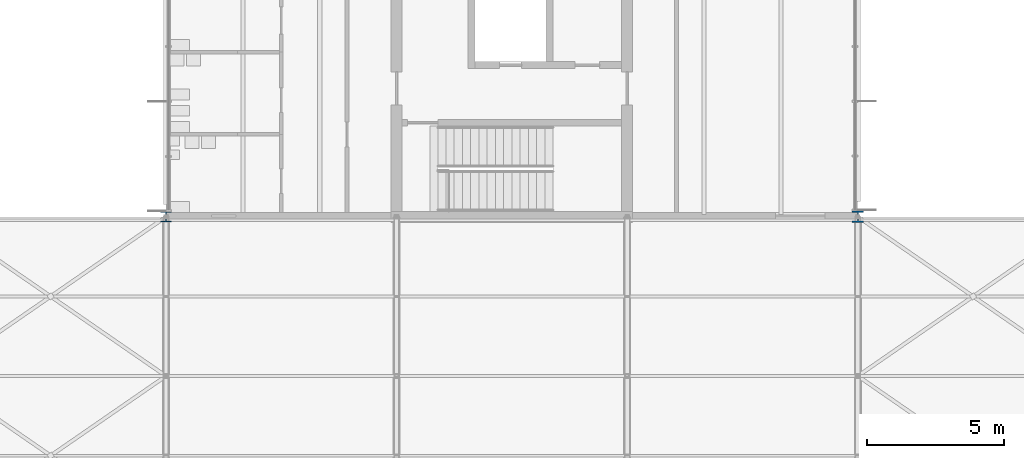
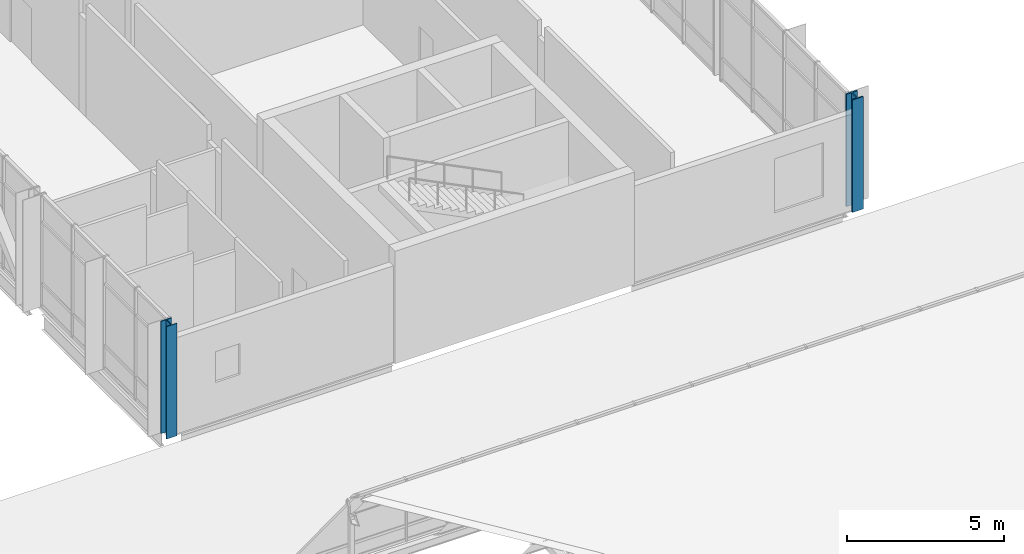
# One storey, part 5 of 89: 2 columns.
"""IFC4 building model written with IfcOpenShell, lengths in metres."""

import ifcopenshell
import ifcopenshell.guid

model = None  # the IFC model being written
_history = None  # IfcOwnerHistory: only IFC2X3 demands one
_inside = {}  # id of a spatial element -> (the spatial element, [elements in it])
_under = {}  # id of a project, library or spatial element -> (it, [spatial elements below it])
_declared = {}  # id of a project -> (the project, [libraries it declares])
_typed = {}  # id of a type object -> (the type object, [elements of that type])
_made_of = {}  # id of a material, layer set ... -> (it, [elements and type objects made of it])


def new_model(schema):
    """Start an empty IFC model of exactly this schema.

    Asked for "IFC4X3", IfcOpenShell would pick the latest addendum, in which some entities
    have other attributes; the version numbers below select the first issue.
    IFC2X3 requires an IfcOwnerHistory on every rooted entity: one is made here for all.
    """
    global model, _history
    if schema == "IFC4X3":
        model = ifcopenshell.file(schema_version=(4, 3, 0, 0))
    else:
        model = ifcopenshell.file(schema=schema)
    _inside.clear()
    _under.clear()
    _declared.clear()
    _typed.clear()
    _made_of.clear()
    _history = None
    if model.schema == "IFC2X3":
        org = make("IfcOrganization", Name="unknown")
        user = make(
            "IfcPersonAndOrganization",
            ThePerson=make("IfcPerson", FamilyName="unknown"),
            TheOrganization=org,
        )
        app = make(
            "IfcApplication",
            ApplicationDeveloper=org,
            Version="unknown",
            ApplicationFullName="unknown",
            ApplicationIdentifier="unknown",
        )
        _history = make(
            "IfcOwnerHistory",
            OwningUser=user,
            OwningApplication=app,
            ChangeAction="ADDED",
            CreationDate=0,
        )
    return model


def make(cls, **values):
    """One entity of the class cls with the attributes given. An attribute that is None is left unset."""
    return model.create_entity(
        cls, **{name: value for name, value in values.items() if value is not None}
    )


def rooted(cls, **values):
    """An entity with a GlobalId (a new one), such as an element, a storey or a relation."""
    return make(cls, GlobalId=ifcopenshell.guid.new(), OwnerHistory=_history, **values)


def si_unit(unit_type, name, prefix=None):
    """IfcSIUnit, for example si_unit("LENGTHUNIT", "METRE", prefix="MILLI")."""
    return make("IfcSIUnit", UnitType=unit_type, Prefix=prefix, Name=name)


def assignment(units):
    """IfcUnitAssignment: the units of a project."""
    return None if units is None else make("IfcUnitAssignment", Units=units)


def point(xyz):
    """IfcCartesianPoint."""
    return None if xyz is None else make("IfcCartesianPoint", Coordinates=xyz)


def direction(xyz):
    """IfcDirection."""
    return None if xyz is None else make("IfcDirection", DirectionRatios=xyz)


def frame(location, z_axis=None, x_axis=None):
    """IfcAxis2Placement3D, a coordinate frame: its origin and axes. An axis left out is left unset."""
    return make(
        "IfcAxis2Placement3D",
        Location=point(location),
        Axis=direction(z_axis),
        RefDirection=direction(x_axis),
    )


def frame_2d(location, x_axis=None):
    """IfcAxis2Placement2D, a coordinate frame in the plane: its origin and x axis."""
    return make(
        "IfcAxis2Placement2D", Location=point(location), RefDirection=direction(x_axis)
    )


def origin():
    """The frame at (0, 0, 0) with its axes left unset."""
    return frame((0.0, 0.0, 0.0))


def origin_2d():
    """The frame at (0, 0) in the plane with its x axis left unset."""
    return frame_2d((0.0, 0.0))


def place(relative_to, where):
    """IfcLocalPlacement: puts the frame where relative to a parent placement (None: the world)."""
    return make(
        "IfcLocalPlacement", PlacementRelTo=relative_to, RelativePlacement=where
    )


def context(
    kind, dimensions, precision=None, world=None, true_north=None, identifier=None
):
    """IfcGeometricRepresentationContext, for example the 3D "Model" context."""
    return make(
        "IfcGeometricRepresentationContext",
        ContextIdentifier=identifier,
        ContextType=kind,
        CoordinateSpaceDimension=dimensions,
        Precision=precision,
        WorldCoordinateSystem=world,
        TrueNorth=true_north,
    )


def subcontext(parent, identifier, kind, view, scale=None):
    """IfcGeometricRepresentationSubContext, for example "Body" below "Model"."""
    return make(
        "IfcGeometricRepresentationSubContext",
        ContextIdentifier=identifier,
        ContextType=kind,
        ParentContext=parent,
        TargetScale=scale,
        TargetView=view,
    )


def project(units=None, contexts=None):
    """IfcProject with its units and contexts."""
    return rooted(
        "IfcProject",
        Name="project",
        RepresentationContexts=contexts,
        UnitsInContext=assignment(units),
    )


def spatial(cls, under=None, at=None, **own):
    """A site, building, storey or space (cls), placed at a placement, below another one or the project."""
    s = rooted(cls, ObjectPlacement=at, **own)
    if under is not None:
        _under.setdefault(under.id(), (under, []))[1].append(s)
    return s


def profile(cls, at=None, kind="AREA", **sizes):
    """A parametric profile (cls). Its sizes go by their IFC names, for example OverallWidth=200.0."""
    return make(cls, ProfileType=kind, Position=at, **sizes)


def i_section(**sizes):
    """IfcIShapeProfileDef."""
    return profile("IfcIShapeProfileDef", **sizes)


def extrude(swept, where, along, depth):
    """IfcExtrudedAreaSolid: the profile swept, set in the frame where, extruded along a direction by depth."""
    return make(
        "IfcExtrudedAreaSolid",
        SweptArea=swept,
        Position=where,
        ExtrudedDirection=direction(along),
        Depth=depth,
    )


def shape(context_of_items, identifier, shape_type, items):
    """IfcShapeRepresentation: the items that make up one representation, for example the "Body"."""
    return make(
        "IfcShapeRepresentation",
        ContextOfItems=context_of_items,
        RepresentationIdentifier=identifier,
        RepresentationType=shape_type,
        Items=items,
    )


def material(Name=None, Category=None):
    """IfcMaterial."""
    return make("IfcMaterial", Name=Name, Category=Category)


def material_profile(
    of_material, cross_section, Name=None, Category=None, Priority=None
):
    """IfcMaterialProfile: a cross section and its material."""
    return make(
        "IfcMaterialProfile",
        Name=Name,
        Material=of_material,
        Profile=cross_section,
        Priority=Priority,
        Category=Category,
    )


def profile_set(profiles, Name=None, composite=None):
    """IfcMaterialProfileSet."""
    return make(
        "IfcMaterialProfileSet",
        Name=Name,
        MaterialProfiles=profiles,
        CompositeProfile=composite,
    )


def made_of(thing, what):
    """Note that an element or type object is made of a material, layer set ...; save() writes the relation."""
    if what is not None:
        _made_of.setdefault(what.id(), (what, []))[1].append(thing)
    return thing


def type_object(cls, material=None, **own):
    """A type object (cls), such as IfcWallType, which elements share."""
    return made_of(rooted(cls, **own), material)


def element(
    cls,
    number,
    at=None,
    inside=None,
    cuts=None,
    type_object=None,
    material=None,
    context=None,
    identifier="Body",
    shape_type=None,
    held_by="IfcProductDefinitionShape",
    body=None,
    shapes=None,
    **own,
):
    """One element of the class cls, such as IfcWall. Its Tag is "e" and its number.

    at: its placement. inside: the storey or other place that contains it. cuts: it is an
    opening in that element (IfcRelVoidsElement). A single representation is given by context,
    identifier, shape_type and body (its items); several are given by shapes. held_by: the class
    of the entity that holds the representations. save() writes the other relations.
    """
    e = rooted(cls, Tag="e%d" % number, ObjectPlacement=at, **own)
    if body is not None:
        shapes = [shape(context, identifier, shape_type, body)]
    if shapes is not None:
        e.Representation = make(held_by, Representations=shapes)
    if inside is not None:
        _inside.setdefault(inside.id(), (inside, []))[1].append(e)
    if cuts is not None:
        rooted(
            "IfcRelVoidsElement", RelatingBuildingElement=cuts, RelatedOpeningElement=e
        )
    if type_object is not None:
        _typed.setdefault(type_object.id(), (type_object, []))[1].append(e)
    return made_of(e, material)


def aggregate(whole, parts):
    """IfcRelAggregates: a whole, such as a stair, and the parts it consists of."""
    return rooted("IfcRelAggregates", RelatingObject=whole, RelatedObjects=parts)


def save(model, path):
    """Write the relations noted so far, then the file.

    IfcRelAggregates (storeys below a building ...), IfcRelContainedInSpatialStructure (elements
    in a storey), IfcRelDefinesByType, IfcRelAssociatesMaterial and IfcRelDeclares: one each for
    every whole, place, type object, material and project.
    """
    for whole, parts in _under.values():
        aggregate(whole, parts)
    for where, things in _inside.values():
        rooted(
            "IfcRelContainedInSpatialStructure",
            RelatedElements=things,
            RelatingStructure=where,
        )
    for kind, things in _typed.values():
        rooted("IfcRelDefinesByType", RelatedObjects=things, RelatingType=kind)
    for what, things in _made_of.values():
        rooted("IfcRelAssociatesMaterial", RelatedObjects=things, RelatingMaterial=what)
    for by, libraries in _declared.values():
        rooted("IfcRelDeclares", RelatingContext=by, RelatedDefinitions=libraries)
    model.write(path)


model = new_model("IFC4")

# Units and contexts
model_context = context("Model", 3, precision=1e-05, world=origin(), true_north=direction((0.0, 1.0)))
body_context = subcontext(model_context, "Body", "Model", "MODEL_VIEW")
ifc_project = project(units=[si_unit("LENGTHUNIT", "METRE"), si_unit("AREAUNIT", "SQUARE_METRE"), si_unit("VOLUMEUNIT", "CUBIC_METRE"), si_unit("PLANEANGLEUNIT", "RADIAN"), si_unit("MASSUNIT", "GRAM", prefix="KILO")], contexts=[model_context])

# Site, building, storey
site_placement = place(None, origin())
site = spatial("IfcSite", under=ifc_project, at=site_placement, CompositionType="ELEMENT")
building_placement = place(site_placement, origin())
building = spatial("IfcBuilding", under=site, at=building_placement, Name="Hlaing Beacon Police Headquarters", CompositionType="ELEMENT")
storey_placement = place(building_placement, frame((0.0, 0.0, 9.89990234375)))
storey = spatial("IfcBuildingStorey", under=building, at=storey_placement, Name="L02", CompositionType="ELEMENT", Elevation=9.89990234375)

# Columns
ifc_material_1 = material(Name="Steel ASTM A992 Grade 50", Category="steel")
ifc_material_profile_1 = material_profile(ifc_material_1, i_section(OverallWidth=0.393798828125, OverallDepth=0.3759765625, WebThickness=0.017333984375, FlangeThickness=0.027587890625, FilletRadius=0.01513671875, at=origin_2d()), Name="W14x145")
ifc_profile_set_1 = profile_set([ifc_material_profile_1], Name="Steel ASTM A992 Grade 50")
column_type_1 = type_object("IfcColumnType", Name="Steel column W14x145", PredefinedType="COLUMN", material=ifc_profile_set_1)
column_1_placement = place(storey_placement, frame((100.800048828125, 33.60009765625, 0.0), z_axis=(0.0, 0.0, 1.0), x_axis=(1.0, 0.0, 0.0)))
element("IfcColumn", 1, at=column_1_placement, inside=storey, type_object=column_type_1, Name="STR-COL-L02-N5", PredefinedType="COLUMN", context=body_context, shape_type="SweptSolid", body=[
    extrude(i_section(OverallWidth=0.393798828125, OverallDepth=0.3759765625, WebThickness=0.017333984375, FlangeThickness=0.027587890625, FilletRadius=0.01513671875, at=origin_2d()), origin(), (0.0, 0.0, 1.0), 4.3701171875),
])
ifc_material_2 = material(Name="Steel ASTM A992 Grade 50", Category="steel")
ifc_material_profile_2 = material_profile(ifc_material_2, i_section(OverallWidth=0.408935546875, OverallDepth=0.424072265625, WebThickness=0.03271484375, FlangeThickness=0.052490234375, FilletRadius=0.01513671875, at=origin_2d()), Name="W14x283")
ifc_profile_set_2 = profile_set([ifc_material_profile_2], Name="Steel ASTM A992 Grade 50")
column_type_2 = type_object("IfcColumnType", Name="Steel column W14x283", PredefinedType="COLUMN", material=ifc_profile_set_2)
column_2_placement = place(storey_placement, frame((126.0, 33.60009765625, 0.0), z_axis=(0.0, 0.0, 1.0), x_axis=(1.0, 0.0, 0.0)))
element("IfcColumn", 2, at=column_2_placement, inside=storey, type_object=column_type_2, Name="STR-COL-L02-R5", PredefinedType="COLUMN", context=body_context, shape_type="SweptSolid", body=[
    extrude(i_section(OverallWidth=0.408935546875, OverallDepth=0.424072265625, WebThickness=0.03271484375, FlangeThickness=0.052490234375, FilletRadius=0.01513671875, at=origin_2d()), origin(), (0.0, 0.0, 1.0), 4.3701171875),
])

save(model, "model.ifc")
